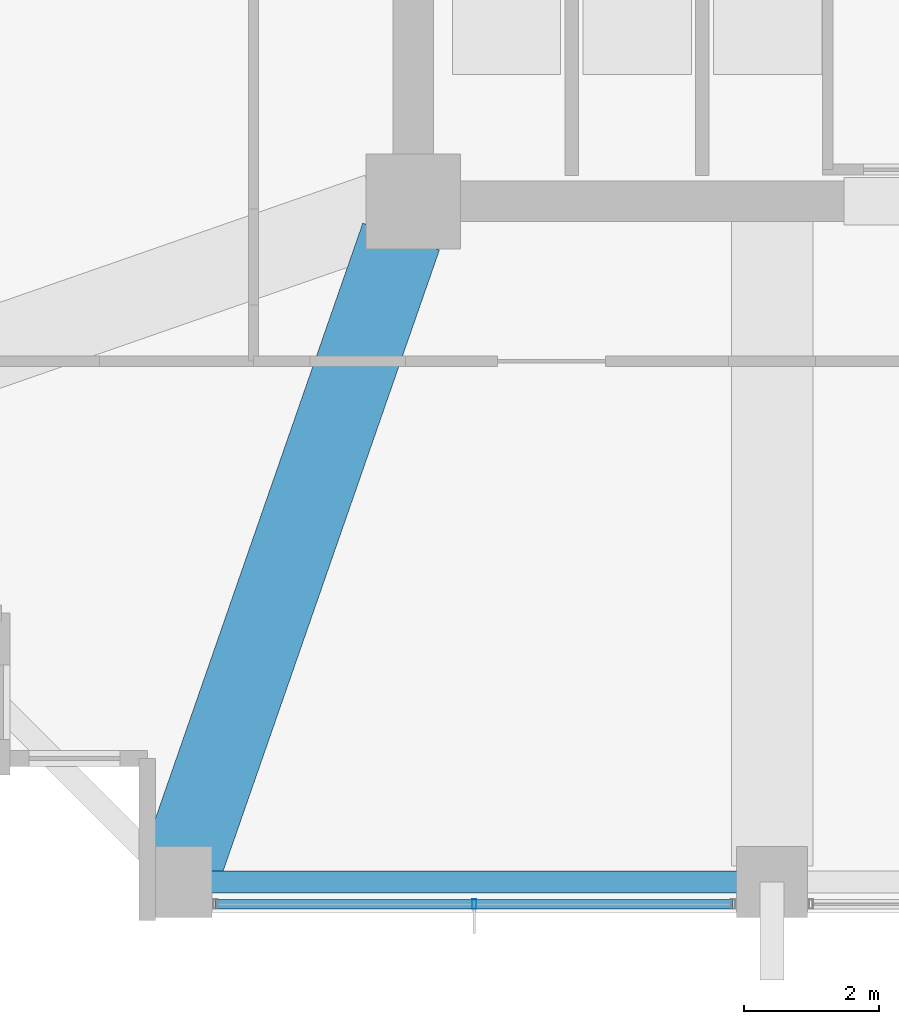
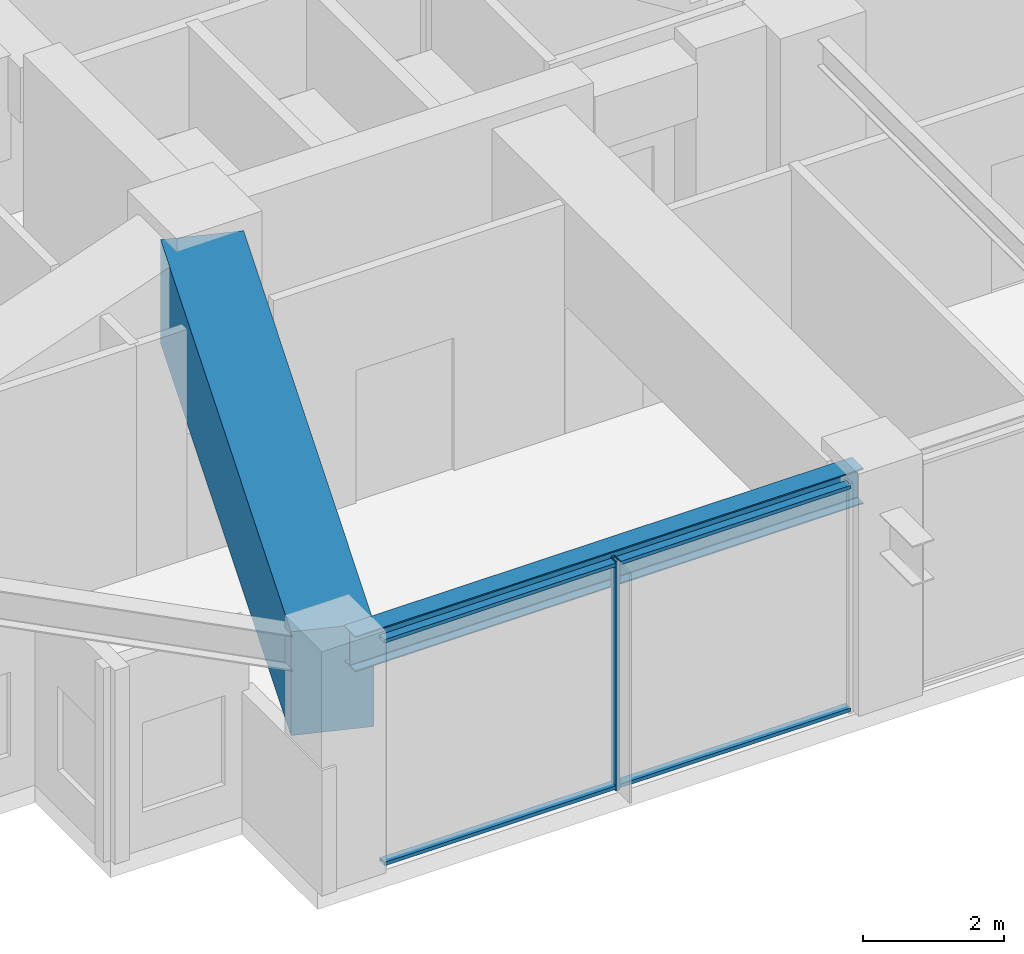
# One storey, part 3 of 40: 3 members, 2 beams, 1 element without a shape of its own.
"""IFC4 building model written with IfcOpenShell, lengths in metres."""

from ifc_helpers import new_model, si_unit, direction, frame, origin, origin_2d, place, context, subcontext, project, spatial, rectangle, hollow_rectangle, i_section, extrude, material, material_profile, profile_set, type_object, element, aggregate, save


model = new_model("IFC4")

# Units and contexts
model_context = context("Model", 3, precision=1e-05, world=origin(), true_north=direction((0.0, 1.0)))
body_context = subcontext(model_context, "Body", "Model", "MODEL_VIEW")
ifc_project = project(units=[si_unit("LENGTHUNIT", "METRE"), si_unit("AREAUNIT", "SQUARE_METRE"), si_unit("VOLUMEUNIT", "CUBIC_METRE"), si_unit("PLANEANGLEUNIT", "RADIAN"), si_unit("MASSUNIT", "GRAM", prefix="KILO")], contexts=[model_context])

# Site, building, storey
site_placement = place(None, origin())
site = spatial("IfcSite", under=ifc_project, at=site_placement, CompositionType="ELEMENT")
building_placement = place(site_placement, origin())
building = spatial("IfcBuilding", under=site, at=building_placement, Name="Kolvaren Belvedere", CompositionType="ELEMENT")
storey_placement = place(building_placement, frame((0.0, 0.0, 68.0)))
storey = spatial("IfcBuildingStorey", under=building, at=storey_placement, Name="L19", CompositionType="ELEMENT", Elevation=68.0)

# Beams
ifc_material_1 = material(Name="Structural steel ASTM A992 Grade 50", Category="steel")
ifc_material_profile_1 = material_profile(ifc_material_1, i_section(OverallWidth=0.324951171875, OverallDepth=0.615966796875, WebThickness=0.013916015625, FlangeThickness=0.021484375, FilletRadius=0.02001953125, at=origin_2d()), Name="W24X117")
ifc_profile_set_1 = profile_set([ifc_material_profile_1], Name="Structural steel ASTM A992 Grade 50")
beam_type_1 = type_object("IfcBeamType", Name="BM-SPAN-W24X117", PredefinedType="SPANDREL", material=ifc_profile_set_1)
beam_1_placement = place(storey_placement, frame((-13.163818359375, -19.949951171875, 3.672119140625), z_axis=(1.0, 0.0, 0.0), x_axis=(0.0, 1.0, 0.0)))
element("IfcBeam", 1, at=beam_1_placement, inside=storey, type_object=beam_type_1, Name="L19 Perimeter Spandrel S1-S2", PredefinedType="SPANDREL", context=body_context, shape_type="SweptSolid", body=[
    extrude(i_section(OverallWidth=0.324951171875, OverallDepth=0.615966796875, WebThickness=0.013916015625, FlangeThickness=0.021484375, FilletRadius=0.02001953125, at=origin_2d()), origin(), (0.0, 0.0, 1.0), 8.32763671875),
])
ifc_material_2 = material(Name="Concrete C50/60", Category="concrete")
ifc_material_profile_2 = material_profile(ifc_material_2, rectangle(XDim=1.199951171875, YDim=1.800048828125, at=origin_2d()), Name="RC 1200X1800")
ifc_profile_set_2 = profile_set([ifc_material_profile_2], Name="Concrete C50/60")
beam_type_2 = type_object("IfcBeamType", Name="BM-TG-1800", PredefinedType="BEAM", material=ifc_profile_set_2)
beam_2_placement = place(storey_placement, frame((-10.080810546875, -10.41943359375, 3.080078125), z_axis=(-0.328880894453, -0.944371408538, 0.0), x_axis=(0.944371408538, -0.328880894453, 0.0)))
element("IfcBeam", 2, at=beam_2_placement, inside=storey, type_object=beam_type_2, Name="L19 Corner Core-to-Perimeter Girder CC1-S1", PredefinedType="BEAM", context=body_context, shape_type="SweptSolid", body=[
    extrude(rectangle(XDim=1.199951171875, YDim=1.800048828125, at=origin_2d()), origin(), (0.0, 0.0, 1.0), 9.882080078125),
])

# Curtain wall, members
ifc_material_3 = material(Name="Anodised pale-metal aluminium AA 6063-T6", Category="aluminium")
curtain_wall_type = type_object("IfcCurtainWallType", Name="CW-Z2-MID", PredefinedType="NOTDEFINED", material=ifc_material_3)
curtain_wall_placement = place(storey_placement, origin())
curtain_wall = element("IfcCurtainWall", 3, at=curtain_wall_placement, inside=storey, type_object=curtain_wall_type, Name="L19 Unitised Curtain Wall FCW-L19-S-B3", PredefinedType="NOTDEFINED")
ifc_material_4 = material(Name="Anodised pale-metal aluminium AA 6063-T6", Category="aluminium")
ifc_material_profile_3 = material_profile(ifc_material_4, hollow_rectangle(XDim=0.06494140625, YDim=0.139892578125, WallThickness=0.00390625, at=origin_2d()), Name="ALU-MUL-140X65")
ifc_profile_set_3 = profile_set([ifc_material_profile_3], Name="Anodised pale-metal aluminium AA 6063-T6")
member_type_1 = type_object("IfcMemberType", Name="CW-MUL-140", PredefinedType="MULLION", material=ifc_profile_set_3)
member_1_placement = place(storey_placement, frame((-9.0, -20.280029296875, 0.0), z_axis=(0.0, 0.0, 1.0), x_axis=(1.0, 0.0, 0.0)))
member_1 = element("IfcMember", 4, at=member_1_placement, type_object=member_type_1, Name="FCW-L19-S-B3 Unitised Mullion 2", PredefinedType="MULLION", context=body_context, shape_type="SweptSolid", body=[
    extrude(hollow_rectangle(XDim=0.06494140625, YDim=0.139892578125, WallThickness=0.00390625, at=origin_2d()), origin(), (0.0, 0.0, 1.0), 3.97998046875),
])
ifc_material_5 = material(Name="Anodised pale-metal aluminium AA 6063-T6", Category="aluminium")
ifc_material_profile_4 = material_profile(ifc_material_5, hollow_rectangle(XDim=0.06005859375, YDim=0.139892578125, WallThickness=0.00390625, at=origin_2d()), Name="ALU-TRN-140X60")
ifc_profile_set_4 = profile_set([ifc_material_profile_4], Name="Anodised pale-metal aluminium AA 6063-T6")
member_type_2 = type_object("IfcMemberType", Name="CW-TRN-140", PredefinedType="USERDEFINED", material=ifc_profile_set_4)
member_2_placement = place(storey_placement, frame((-5.177490234375, -20.280029296875, 0.06005859375), z_axis=(-1.0, 0.0, 0.0), x_axis=(0.0, 0.0, 1.0)))
member_2 = element("IfcMember", 5, at=member_2_placement, type_object=member_type_2, Name="FCW-L19-S-B3 Sill Transom", ObjectType="TRANSOM", PredefinedType="USERDEFINED", context=body_context, shape_type="SweptSolid", body=[
    extrude(hollow_rectangle(XDim=0.06005859375, YDim=0.139892578125, WallThickness=0.00390625, at=origin_2d()), origin(), (0.0, 0.0, 1.0), 7.64501953125),
])
member_3_placement = place(storey_placement, frame((-5.177490234375, -20.280029296875, 3.919921875), z_axis=(-1.0, 0.0, 0.0), x_axis=(0.0, 0.0, 1.0)))
member_3 = element("IfcMember", 6, at=member_3_placement, type_object=member_type_2, Name="FCW-L19-S-B3 Head Transom", ObjectType="TRANSOM", PredefinedType="USERDEFINED", context=body_context, shape_type="SweptSolid", body=[
    extrude(hollow_rectangle(XDim=0.06005859375, YDim=0.139892578125, WallThickness=0.00390625, at=origin_2d()), origin(), (0.0, 0.0, 1.0), 7.64501953125),
])
aggregate(curtain_wall, [member_1, member_2, member_3])

save(model, "model.ifc")
